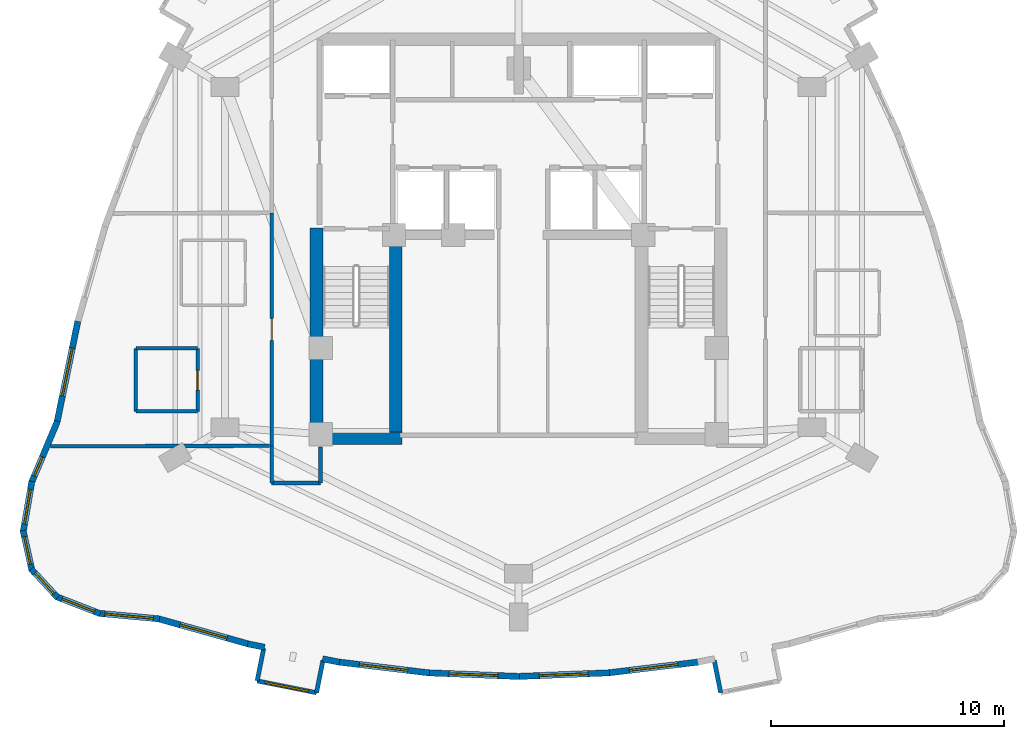
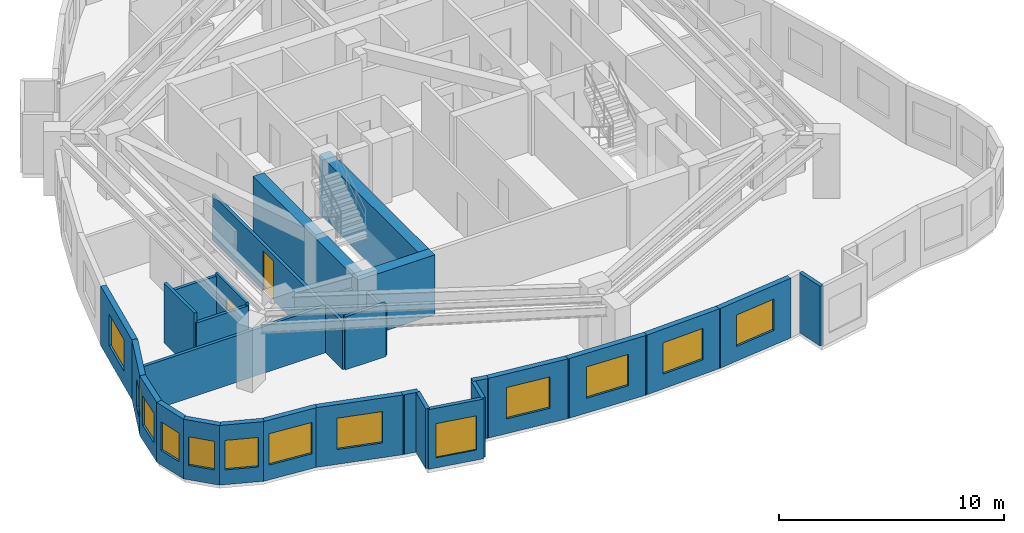
# One storey, part 5 of 10: 30 walls, 13 windows, 2 doors, 15 openings.
"""IFC4 building model written with IfcOpenShell, lengths in metres."""

from ifc_helpers import new_model, si_unit, direction, frame, frame_2d, origin, place, context, subcontext, project, spatial, rectangle, extrude, material, layer, layer_set, type_object, element, fill, save


model = new_model("IFC4")

# Units and contexts
model_context = context("Model", 3, precision=1e-05, world=origin(), true_north=direction((0.0, 1.0)))
body_context = subcontext(model_context, "Body", "Model", "MODEL_VIEW")
ifc_project = project(units=[si_unit("LENGTHUNIT", "METRE"), si_unit("AREAUNIT", "SQUARE_METRE"), si_unit("VOLUMEUNIT", "CUBIC_METRE"), si_unit("PLANEANGLEUNIT", "RADIAN"), si_unit("MASSUNIT", "GRAM", prefix="KILO")], contexts=[model_context])

# Site, building, storey
site_placement = place(None, origin())
site = spatial("IfcSite", under=ifc_project, at=site_placement, CompositionType="ELEMENT")
building_placement = place(site_placement, origin())
building = spatial("IfcBuilding", under=site, at=building_placement, Name="Miruveldt Soraemaru", CompositionType="ELEMENT")
storey_placement = place(building_placement, frame((0.0, 0.0, 163.39990234375)))
storey = spatial("IfcBuildingStorey", under=building, at=storey_placement, Name="L45", CompositionType="ELEMENT", Elevation=163.39990234375)

# Walls
ifc_material_1 = material(Name="White powder-coated aluminium EN AW-6060 T6", Category="aluminium")
ifc_layer_1 = layer(ifc_material_1, 0.18994140625, Name="White powder-coated aluminium EN AW-6060 T6", Category="aluminium")
ifc_layer_set_1 = layer_set([ifc_layer_1], Name="White powder-coated aluminium EN AW-6060 T6")
wall_type_1 = type_object("IfcWallType", Name="WALL-BAY-ALU190", PredefinedType="SOLIDWALL", material=ifc_layer_set_1)
wall_1_placement = place(storey_placement, frame((33.05517578125, 26.30322265625, 0.0), z_axis=(0.0, 0.0, 1.0), x_axis=(-0.196017281962, -0.980600441144, 0.0)))
element("IfcWall", 1, at=wall_1_placement, inside=storey, type_object=wall_type_1, Name="L45 Bay Window Side Cheek 2L", PredefinedType="SOLIDWALL", context=body_context, shape_type="SweptSolid", body=[
    extrude(rectangle(XDim=1.4248046875, YDim=0.18994140625, at=frame_2d((0.71240234375, 0.0))), origin(), (0.0, 0.0, 1.0), 3.235107421875),
])
wall_2_placement = place(storey_placement, frame((35.3251953125, 24.39599609375, 0.0), z_axis=(0.0, 0.0, 1.0), x_axis=(0.196149079112, 0.980574086321, 0.0)))
element("IfcWall", 2, at=wall_2_placement, inside=storey, type_object=wall_type_1, Name="L45 Bay Window Side Cheek 2R", PredefinedType="SOLIDWALL", context=body_context, shape_type="SweptSolid", body=[
    extrude(rectangle(XDim=1.425048828125, YDim=0.18994140625, at=frame_2d((0.71240234375, 0.0))), origin(), (0.0, 0.0, 1.0), 3.235107421875),
])

# Wall, opening, window
wall_3_placement = place(storey_placement, frame((32.77587890625, 24.906005859375, 0.0), z_axis=(0.0, 0.0, 1.0), x_axis=(0.980569838849, -0.196170311564, 0.0)))
wall_3 = element("IfcWall", 3, at=wall_3_placement, inside=storey, type_object=wall_type_1, Name="L45 Bay Window Front Frame 2", PredefinedType="SOLIDWALL", context=body_context, shape_type="SweptSolid", body=[
    extrude(rectangle(XDim=2.599853515625, YDim=0.18994140625, at=frame_2d((1.2998046875, 0.0))), origin(), (0.0, 0.0, 1.0), 3.235107421875),
])
opening_1_placement = place(wall_3_placement, frame((0.35009765625, 0.0, 0.550048828125)))
opening_1 = element("IfcOpeningElement", 4, at=opening_1_placement, cuts=wall_3, Name="Opening WN-6", PredefinedType="OPENING", context=body_context, shape_type="SweptSolid", body=[
    extrude(rectangle(XDim=1.89990234375, YDim=1.85009765625, at=frame_2d((0.949951171875, 0.925048828125))), frame((0.0, 0.10498046875, 0.0), z_axis=(0.0, -1.0, 0.0), x_axis=(1.0, 0.0, 0.0)), (0.0, 0.0, 1.0), 0.2099609375),
])
ifc_material_2 = material(Name="Triple low-e insulated glazing", Category="glass")
window_type_1 = type_object("IfcWindowType", Name="WIN-BAYW-1900x1850", PartitioningType="SINGLE_PANEL", PredefinedType="WINDOW", material=ifc_material_2)
window_1_placement = place(opening_1_placement, origin())
window_1 = element("IfcWindow", 5, at=window_1_placement, inside=storey, type_object=window_type_1, Name="L45 Projecting Bay Window 2", OverallHeight=1.85009765625, OverallWidth=1.89990234375, PartitioningType="SINGLE_PANEL", PredefinedType="WINDOW", context=body_context, shape_type="SweptSolid", body=[
    extrude(rectangle(XDim=1.89990234375, YDim=1.85009765625, at=frame_2d((0.949951171875, 0.925048828125))), frame((0.0, 0.030029296875, 0.0), z_axis=(0.0, -1.0, 0.0), x_axis=(1.0, 0.0, 0.0)), (0.0, 0.0, 1.0), 0.06005859375),
])
fill(opening_1, window_1)

# Walls
wall_4_placement = place(storey_placement, frame((52.395263671875, 25.79345703125, 0.0), z_axis=(0.0, 0.0, 1.0), x_axis=(0.196149079112, -0.980574086321, 0.0)))
element("IfcWall", 6, at=wall_4_placement, inside=storey, type_object=wall_type_1, Name="L45 Bay Window Side Cheek 3L", PredefinedType="SOLIDWALL", context=body_context, shape_type="SweptSolid", body=[
    extrude(rectangle(XDim=1.425048828125, YDim=0.18994140625, at=frame_2d((0.71240234375, 0.0))), origin(), (0.0, 0.0, 1.0), 3.235107421875),
])
ifc_material_3 = material(Name="Concrete C70/85 (70 MPa)", Category="concrete")
ifc_layer_2 = layer(ifc_material_3, 0.550048828125, Name="Concrete C70/85 (70 MPa)", Category="concrete")
ifc_layer_set_2 = layer_set([ifc_layer_2], Name="Concrete C70/85 (70 MPa)")
wall_type_2 = type_object("IfcWallType", Name="WALL-CW-550", PredefinedType="SHEAR", material=ifc_layer_set_2)
wall_5_placement = place(storey_placement, frame((35.050048828125, 35.324951171875, 0.0), z_axis=(0.0, 0.0, 1.0), x_axis=(1.0, 0.0, 0.0)))
element("IfcWall", 7, at=wall_5_placement, inside=storey, type_object=wall_type_2, Name="L45 Central Core Shear Wall S1", PredefinedType="SHEAR", context=body_context, shape_type="SweptSolid", body=[
    extrude(rectangle(XDim=3.949951171875, YDim=0.550048828125, at=frame_2d((1.97509765625, 0.0))), origin(), (0.0, 0.0, 1.0), 3.235107421875),
])
wall_6_placement = place(storey_placement, frame((35.324951171875, 35.050048828125, 0.0), z_axis=(0.0, 0.0, 1.0), x_axis=(0.0, 1.0, 0.0)))
element("IfcWall", 8, at=wall_6_placement, inside=storey, type_object=wall_type_2, Name="L45 Central Core Shear Wall W1", PredefinedType="SHEAR", context=body_context, shape_type="SweptSolid", body=[
    extrude(rectangle(XDim=9.300048828125, YDim=0.550048828125, at=frame_2d((4.64990234375, 0.0))), origin(), (0.0, 0.0, 1.0), 3.235107421875),
])
wall_7_placement = place(storey_placement, frame((38.72509765625, 35.39990234375, 0.0), z_axis=(0.0, 0.0, 1.0), x_axis=(0.0, 1.0, 0.0)))
element("IfcWall", 9, at=wall_7_placement, inside=storey, type_object=wall_type_2, Name="L45 Central Core Shear Wall SW-INT", PredefinedType="SHEAR", context=body_context, shape_type="SweptSolid", body=[
    extrude(rectangle(XDim=8.9501953125, YDim=0.550048828125, at=frame_2d((4.47509765625, 0.0))), origin(), (0.0, 0.0, 1.0), 3.235107421875),
])

# Wall, opening, window
ifc_material_4 = material(Name="Precast concrete C45/55 (45 MPa)", Category="concrete")
ifc_layer_3 = layer(ifc_material_4, 0.27001953125, Name="Precast concrete C45/55 (45 MPa)", Category="concrete")
ifc_layer_set_3 = layer_set([ifc_layer_3], Name="Precast concrete C45/55 (45 MPa)")
wall_type_3 = type_object("IfcWallType", Name="WALL-EXT-PC270", PredefinedType="SOLIDWALL", material=ifc_layer_set_3)
wall_8_placement = place(storey_placement, frame((25.076904296875, 40.347412109375, 0.0), z_axis=(0.0, 0.0, 1.0), x_axis=(-0.201580139361, -0.979472024825, 0.0)))
wall_8 = element("IfcWall", 10, at=wall_8_placement, inside=storey, type_object=wall_type_3, Name="L45 Precast Concrete Facade Wall 14", PredefinedType="SOLIDWALL", context=body_context, shape_type="SweptSolid", body=[
    extrude(rectangle(XDim=4.448486328125, YDim=0.27001953125, at=frame_2d((2.22412109375, 0.0))), origin(), (0.0, 0.0, 1.0), 3.235107421875),
])
opening_2_placement = place(wall_8_placement, frame((1.174072265625, 0.0, 0.800048828125)))
opening_2 = element("IfcOpeningElement", 11, at=opening_2_placement, cuts=wall_8, Name="Opening WN-1", PredefinedType="OPENING", context=body_context, shape_type="SweptSolid", body=[
    extrude(rectangle(XDim=2.10009765625, YDim=1.699951171875, at=frame_2d((1.050048828125, 0.85009765625))), frame((0.0, 0.14501953125, 0.0), z_axis=(0.0, -1.0, 0.0), x_axis=(1.0, 0.0, 0.0)), (0.0, 0.0, 1.0), 0.2900390625),
])
window_type_2 = type_object("IfcWindowType", Name="WIN-PUNCH-2100x1700", PartitioningType="SINGLE_PANEL", PredefinedType="WINDOW", material=ifc_material_2)
window_2_placement = place(opening_2_placement, origin())
window_2 = element("IfcWindow", 12, at=window_2_placement, inside=storey, type_object=window_type_2, Name="L45 Punched Triple-Glazed Window 14.1", OverallHeight=1.699951171875, OverallWidth=2.10009765625, PartitioningType="SINGLE_PANEL", PredefinedType="WINDOW", context=body_context, shape_type="SweptSolid", body=[
    extrude(rectangle(XDim=2.10009765625, YDim=1.699951171875, at=frame_2d((1.050048828125, 0.85009765625))), frame((0.0, 0.030029296875, 0.0), z_axis=(0.0, -1.0, 0.0), x_axis=(1.0, 0.0, 0.0)), (0.0, 0.0, 1.0), 0.06005859375),
])
fill(opening_2, window_2)

wall_9_placement = place(storey_placement, frame((24.200927734375, 36.056640625, 0.0), z_axis=(0.0, 0.0, 1.0), x_axis=(-0.388641898972, -0.921388883351, 0.0)))
wall_9 = element("IfcWall", 13, at=wall_9_placement, inside=storey, type_object=wall_type_3, Name="L45 Precast Concrete Facade Wall 15", PredefinedType="SOLIDWALL", context=body_context, shape_type="SweptSolid", body=[
    extrude(rectangle(XDim=2.873291015625, YDim=0.27001953125, at=frame_2d((1.4365234375, 0.0))), origin(), (0.0, 0.0, 1.0), 3.235107421875),
])
opening_3_placement = place(wall_9_placement, frame((1.660888671875, 0.0, 0.780029296875)))
opening_3 = element("IfcOpeningElement", 14, at=opening_3_placement, cuts=wall_9, Name="Opening WN-7", PredefinedType="OPENING", context=body_context, shape_type="SweptSolid", body=[
    extrude(rectangle(XDim=0.89990234375, YDim=1.5, at=frame_2d((0.449951171875, 0.75))), frame((0.0, 0.14501953125, 0.0), z_axis=(0.0, -1.0, 0.0), x_axis=(1.0, 0.0, 0.0)), (0.0, 0.0, 1.0), 0.2900390625),
])
window_type_3 = type_object("IfcWindowType", Name="WIN-PUNCH-900x1500", PartitioningType="SINGLE_PANEL", PredefinedType="WINDOW", material=ifc_material_2)
window_3_placement = place(opening_3_placement, origin())
window_3 = element("IfcWindow", 15, at=window_3_placement, inside=storey, type_object=window_type_3, Name="L45 Punched Triple-Glazed Window 15.1", OverallHeight=1.5, OverallWidth=0.89990234375, PartitioningType="SINGLE_PANEL", PredefinedType="WINDOW", context=body_context, shape_type="SweptSolid", body=[
    extrude(rectangle(XDim=0.89990234375, YDim=1.5, at=frame_2d((0.449951171875, 0.75))), frame((0.0, 0.030029296875, 0.0), z_axis=(0.0, -1.0, 0.0), x_axis=(1.0, 0.0, 0.0)), (0.0, 0.0, 1.0), 0.06005859375),
])
fill(opening_3, window_3)

wall_10_placement = place(storey_placement, frame((23.103759765625, 33.475830078125, 0.0), z_axis=(0.0, 0.0, 1.0), x_axis=(-0.169330983726, -0.985559241218, 0.0)))
wall_10 = element("IfcWall", 16, at=wall_10_placement, inside=storey, type_object=wall_type_3, Name="L45 Precast Concrete Facade Wall 16", PredefinedType="SOLIDWALL", context=body_context, shape_type="SweptSolid", body=[
    extrude(rectangle(XDim=2.214599609375, YDim=0.27001953125, at=frame_2d((1.107421875, 0.0))), origin(), (0.0, 0.0, 1.0), 3.235107421875),
])
opening_4_placement = place(wall_10_placement, frame((0.35693359375, 0.0, 0.800048828125)))
opening_4 = element("IfcOpeningElement", 17, at=opening_4_placement, cuts=wall_10, Name="Opening WN-3", PredefinedType="OPENING", context=body_context, shape_type="SweptSolid", body=[
    extrude(rectangle(XDim=1.5, YDim=1.60009765625, at=frame_2d((0.75, 0.800048828125))), frame((0.0, 0.14501953125, 0.0), z_axis=(0.0, -1.0, 0.0), x_axis=(1.0, 0.0, 0.0)), (0.0, 0.0, 1.0), 0.2900390625),
])
window_type_4 = type_object("IfcWindowType", Name="WIN-PUNCH-1500x1600", PartitioningType="SINGLE_PANEL", PredefinedType="WINDOW", material=ifc_material_2)
window_4_placement = place(opening_4_placement, origin())
window_4 = element("IfcWindow", 18, at=window_4_placement, inside=storey, type_object=window_type_4, Name="L45 Punched Triple-Glazed Window 16.1", OverallHeight=1.60009765625, OverallWidth=1.5, PartitioningType="SINGLE_PANEL", PredefinedType="WINDOW", context=body_context, shape_type="SweptSolid", body=[
    extrude(rectangle(XDim=1.5, YDim=1.60009765625, at=frame_2d((0.75, 0.800048828125))), frame((0.0, 0.030029296875, 0.0), z_axis=(0.0, -1.0, 0.0), x_axis=(1.0, 0.0, 0.0)), (0.0, 0.0, 1.0), 0.06005859375),
])
fill(opening_4, window_4)

wall_11_placement = place(storey_placement, frame((22.72705078125, 31.362060546875, 0.0), z_axis=(0.0, 0.0, 1.0), x_axis=(0.215809905257, -0.976435397142, 0.0)))
wall_11 = element("IfcWall", 19, at=wall_11_placement, inside=storey, type_object=wall_type_3, Name="L45 Precast Concrete Facade Wall 17", PredefinedType="SOLIDWALL", context=body_context, shape_type="SweptSolid", body=[
    extrude(rectangle(XDim=1.75341796875, YDim=0.27001953125, at=frame_2d((0.876708984375, 0.0))), origin(), (0.0, 0.0, 1.0), 3.235107421875),
])
opening_5_placement = place(wall_11_placement, frame((0.277099609375, 0.0, 0.780029296875)))
opening_5 = element("IfcOpeningElement", 20, at=opening_5_placement, cuts=wall_11, Name="Opening WN-4", PredefinedType="OPENING", context=body_context, shape_type="SweptSolid", body=[
    extrude(rectangle(XDim=1.199951171875, YDim=1.550048828125, at=frame_2d((0.60009765625, 0.77490234375))), frame((0.0, 0.14501953125, 0.0), z_axis=(0.0, -1.0, 0.0), x_axis=(1.0, 0.0, 0.0)), (0.0, 0.0, 1.0), 0.2900390625),
])
window_type_5 = type_object("IfcWindowType", Name="WIN-PUNCH-1200x1550", PartitioningType="SINGLE_PANEL", PredefinedType="WINDOW", material=ifc_material_2)
window_5_placement = place(opening_5_placement, origin())
window_5 = element("IfcWindow", 21, at=window_5_placement, inside=storey, type_object=window_type_5, Name="L45 Punched Triple-Glazed Window 17.1", OverallHeight=1.550048828125, OverallWidth=1.199951171875, PartitioningType="SINGLE_PANEL", PredefinedType="WINDOW", context=body_context, shape_type="SweptSolid", body=[
    extrude(rectangle(XDim=1.199951171875, YDim=1.550048828125, at=frame_2d((0.60009765625, 0.77490234375))), frame((0.0, 0.030029296875, 0.0), z_axis=(0.0, -1.0, 0.0), x_axis=(1.0, 0.0, 0.0)), (0.0, 0.0, 1.0), 0.06005859375),
])
fill(opening_5, window_5)

wall_12_placement = place(storey_placement, frame((23.073974609375, 29.709716796875, 0.0), z_axis=(0.0, 0.0, 1.0), x_axis=(0.680182208432, -0.733043084227, 0.0)))
wall_12 = element("IfcWall", 22, at=wall_12_placement, inside=storey, type_object=wall_type_3, Name="L45 Precast Concrete Facade Wall 18", PredefinedType="SOLIDWALL", context=body_context, shape_type="SweptSolid", body=[
    extrude(rectangle(XDim=1.671875, YDim=0.27001953125, at=frame_2d((0.8359375, 0.0))), origin(), (0.0, 0.0, 1.0), 3.235107421875),
])
opening_6_placement = place(wall_12_placement, frame((0.236083984375, 0.0, 0.780029296875)))
opening_6 = element("IfcOpeningElement", 23, at=opening_6_placement, cuts=wall_12, Name="Opening WN-4", PredefinedType="OPENING", context=body_context, shape_type="SweptSolid", body=[
    extrude(rectangle(XDim=1.199951171875, YDim=1.550048828125, at=frame_2d((0.60009765625, 0.77490234375))), frame((0.0, 0.14501953125, 0.0), z_axis=(0.0, -1.0, 0.0), x_axis=(1.0, 0.0, 0.0)), (0.0, 0.0, 1.0), 0.2900390625),
])
window_6_placement = place(opening_6_placement, origin())
window_6 = element("IfcWindow", 24, at=window_6_placement, inside=storey, type_object=window_type_5, Name="L45 Punched Triple-Glazed Window 18.1", OverallHeight=1.550048828125, OverallWidth=1.199951171875, PartitioningType="SINGLE_PANEL", PredefinedType="WINDOW", context=body_context, shape_type="SweptSolid", body=[
    extrude(rectangle(XDim=1.199951171875, YDim=1.550048828125, at=frame_2d((0.60009765625, 0.77490234375))), frame((0.0, 0.030029296875, 0.0), z_axis=(0.0, -1.0, 0.0), x_axis=(1.0, 0.0, 0.0)), (0.0, 0.0, 1.0), 0.06005859375),
])
fill(opening_6, window_6)

wall_13_placement = place(storey_placement, frame((24.15478515625, 28.5224609375, 0.0), z_axis=(0.0, 0.0, 1.0), x_axis=(0.932249719416, -0.361815506367, 0.0)))
wall_13 = element("IfcWall", 25, at=wall_13_placement, inside=storey, type_object=wall_type_3, Name="L45 Precast Concrete Facade Wall 19", PredefinedType="SOLIDWALL", context=body_context, shape_type="SweptSolid", body=[
    extrude(rectangle(XDim=2.017578125, YDim=0.27001953125, at=frame_2d((1.0087890625, 0.0))), origin(), (0.0, 0.0, 1.0), 3.235107421875),
])
opening_7_placement = place(wall_13_placement, frame((0.259033203125, 0.0, 0.800048828125)))
opening_7 = element("IfcOpeningElement", 26, at=opening_7_placement, cuts=wall_13, Name="Opening WN-3", PredefinedType="OPENING", context=body_context, shape_type="SweptSolid", body=[
    extrude(rectangle(XDim=1.5, YDim=1.60009765625, at=frame_2d((0.75, 0.800048828125))), frame((0.0, 0.14501953125, 0.0), z_axis=(0.0, -1.0, 0.0), x_axis=(1.0, 0.0, 0.0)), (0.0, 0.0, 1.0), 0.2900390625),
])
window_7_placement = place(opening_7_placement, origin())
window_7 = element("IfcWindow", 27, at=window_7_placement, inside=storey, type_object=window_type_4, Name="L45 Punched Triple-Glazed Window 19.1", OverallHeight=1.60009765625, OverallWidth=1.5, PartitioningType="SINGLE_PANEL", PredefinedType="WINDOW", context=body_context, shape_type="SweptSolid", body=[
    extrude(rectangle(XDim=1.5, YDim=1.60009765625, at=frame_2d((0.75, 0.800048828125))), frame((0.0, 0.030029296875, 0.0), z_axis=(0.0, -1.0, 0.0), x_axis=(1.0, 0.0, 0.0)), (0.0, 0.0, 1.0), 0.06005859375),
])
fill(opening_7, window_7)

wall_14_placement = place(storey_placement, frame((25.96826171875, 27.80859375, 0.0), z_axis=(0.0, 0.0, 1.0), x_axis=(0.995762483842, -0.091962360632, 0.0)))
wall_14 = element("IfcWall", 28, at=wall_14_placement, inside=storey, type_object=wall_type_3, Name="L45 Precast Concrete Facade Wall 20", PredefinedType="SOLIDWALL", context=body_context, shape_type="SweptSolid", body=[
    extrude(rectangle(XDim=2.623046875, YDim=0.27001953125, at=frame_2d((1.3115234375, 0.0))), origin(), (0.0, 0.0, 1.0), 3.235107421875),
])
opening_8_placement = place(wall_14_placement, frame((0.261962890625, 0.0, 0.800048828125)))
opening_8 = element("IfcOpeningElement", 29, at=opening_8_placement, cuts=wall_14, Name="Opening WN-1", PredefinedType="OPENING", context=body_context, shape_type="SweptSolid", body=[
    extrude(rectangle(XDim=2.10009765625, YDim=1.699951171875, at=frame_2d((1.050048828125, 0.85009765625))), frame((0.0, 0.14501953125, 0.0), z_axis=(0.0, -1.0, 0.0), x_axis=(1.0, 0.0, 0.0)), (0.0, 0.0, 1.0), 0.2900390625),
])
window_8_placement = place(opening_8_placement, origin())
window_8 = element("IfcWindow", 30, at=window_8_placement, inside=storey, type_object=window_type_2, Name="L45 Punched Triple-Glazed Window 20.1", OverallHeight=1.699951171875, OverallWidth=2.10009765625, PartitioningType="SINGLE_PANEL", PredefinedType="WINDOW", context=body_context, shape_type="SweptSolid", body=[
    extrude(rectangle(XDim=2.10009765625, YDim=1.699951171875, at=frame_2d((1.050048828125, 0.85009765625))), frame((0.0, 0.030029296875, 0.0), z_axis=(0.0, -1.0, 0.0), x_axis=(1.0, 0.0, 0.0)), (0.0, 0.0, 1.0), 0.06005859375),
])
fill(opening_8, window_8)

wall_15_placement = place(storey_placement, frame((28.51171875, 27.579833984375, 0.0), z_axis=(0.0, 0.0, 1.0), x_axis=(0.962968367647, -0.269614396705, 0.0)))
wall_15 = element("IfcWall", 31, at=wall_15_placement, inside=storey, type_object=wall_type_3, Name="L45 Precast Concrete Facade Wall 21", PredefinedType="SOLIDWALL", context=body_context, shape_type="SweptSolid", body=[
    extrude(rectangle(XDim=4.08203125, YDim=0.27001953125, at=frame_2d((2.041015625, 0.0))), origin(), (0.0, 0.0, 1.0), 3.235107421875),
])
opening_9_placement = place(wall_15_placement, frame((0.990966796875, 0.0, 0.800048828125)))
opening_9 = element("IfcOpeningElement", 32, at=opening_9_placement, cuts=wall_15, Name="Opening WN-1", PredefinedType="OPENING", context=body_context, shape_type="SweptSolid", body=[
    extrude(rectangle(XDim=2.10009765625, YDim=1.699951171875, at=frame_2d((1.050048828125, 0.85009765625))), frame((0.0, 0.14501953125, 0.0), z_axis=(0.0, -1.0, 0.0), x_axis=(1.0, 0.0, 0.0)), (0.0, 0.0, 1.0), 0.2900390625),
])
window_9_placement = place(opening_9_placement, origin())
window_9 = element("IfcWindow", 33, at=window_9_placement, inside=storey, type_object=window_type_2, Name="L45 Punched Triple-Glazed Window 21.1", OverallHeight=1.699951171875, OverallWidth=2.10009765625, PartitioningType="SINGLE_PANEL", PredefinedType="WINDOW", context=body_context, shape_type="SweptSolid", body=[
    extrude(rectangle(XDim=2.10009765625, YDim=1.699951171875, at=frame_2d((1.050048828125, 0.85009765625))), frame((0.0, 0.030029296875, 0.0), z_axis=(0.0, -1.0, 0.0), x_axis=(1.0, 0.0, 0.0)), (0.0, 0.0, 1.0), 0.06005859375),
])
fill(opening_9, window_9)

# Walls
wall_16_placement = place(storey_placement, frame((32.37451171875, 26.49560546875, 0.0), z_axis=(0.0, 0.0, 1.0), x_axis=(0.980555124768, -0.196243846508, 0.0)))
element("IfcWall", 34, at=wall_16_placement, inside=storey, type_object=wall_type_3, Name="L45 Precast Pier Wall 22A", PredefinedType="SOLIDWALL", context=body_context, shape_type="SweptSolid", body=[
    extrude(rectangle(XDim=0.7353515625, YDim=0.27001953125, at=frame_2d((0.36767578125, 0.0))), origin(), (0.0, 0.0, 1.0), 3.235107421875),
])
wall_17_placement = place(storey_placement, frame((35.586181640625, 25.853271484375, 0.0), z_axis=(0.0, 0.0, 1.0), x_axis=(0.980542330577, -0.196307763337, 0.0)))
element("IfcWall", 35, at=wall_17_placement, inside=storey, type_object=wall_type_3, Name="L45 Precast Pier Wall 22B", PredefinedType="SOLIDWALL", context=body_context, shape_type="SweptSolid", body=[
    extrude(rectangle(XDim=0.735107421875, YDim=0.27001953125, at=frame_2d((0.36767578125, 0.0))), origin(), (0.0, 0.0, 1.0), 3.235107421875),
])

# Wall, opening, window
wall_18_placement = place(storey_placement, frame((36.23779296875, 25.72021484375, 0.0), z_axis=(0.0, 0.0, 1.0), x_axis=(0.992871880254, -0.11918653196, 0.0)))
wall_18 = element("IfcWall", 36, at=wall_18_placement, inside=storey, type_object=wall_type_3, Name="L45 Precast Concrete Facade Wall 23", PredefinedType="SOLIDWALL", context=body_context, shape_type="SweptSolid", body=[
    extrude(rectangle(XDim=3.961669921875, YDim=0.27001953125, at=frame_2d((1.98095703125, 0.0))), origin(), (0.0, 0.0, 1.0), 3.235107421875),
])
opening_10_placement = place(wall_18_placement, frame((0.930908203125, 0.0, 0.800048828125)))
opening_10 = element("IfcOpeningElement", 37, at=opening_10_placement, cuts=wall_18, Name="Opening WN-1", PredefinedType="OPENING", context=body_context, shape_type="SweptSolid", body=[
    extrude(rectangle(XDim=2.10009765625, YDim=1.699951171875, at=frame_2d((1.050048828125, 0.85009765625))), frame((0.0, 0.14501953125, 0.0), z_axis=(0.0, -1.0, 0.0), x_axis=(1.0, 0.0, 0.0)), (0.0, 0.0, 1.0), 0.2900390625),
])
window_10_placement = place(opening_10_placement, origin())
window_10 = element("IfcWindow", 38, at=window_10_placement, inside=storey, type_object=window_type_2, Name="L45 Punched Triple-Glazed Window 23.1", OverallHeight=1.699951171875, OverallWidth=2.10009765625, PartitioningType="SINGLE_PANEL", PredefinedType="WINDOW", context=body_context, shape_type="SweptSolid", body=[
    extrude(rectangle(XDim=2.10009765625, YDim=1.699951171875, at=frame_2d((1.050048828125, 0.85009765625))), frame((0.0, 0.030029296875, 0.0), z_axis=(0.0, -1.0, 0.0), x_axis=(1.0, 0.0, 0.0)), (0.0, 0.0, 1.0), 0.06005859375),
])
fill(opening_10, window_10)

wall_19_placement = place(storey_placement, frame((40.101318359375, 25.253662109375, 0.0), z_axis=(0.0, 0.0, 1.0), x_axis=(0.999199670334, -0.040000235065, 0.0)))
wall_19 = element("IfcWall", 39, at=wall_19_placement, inside=storey, type_object=wall_type_3, Name="L45 Precast Concrete Facade Wall 24", PredefinedType="SOLIDWALL", context=body_context, shape_type="SweptSolid", body=[
    extrude(rectangle(XDim=3.936767578125, YDim=0.27001953125, at=frame_2d((1.96826171875, 0.0))), origin(), (0.0, 0.0, 1.0), 3.235107421875),
])
opening_11_placement = place(wall_19_placement, frame((0.9189453125, 0.0, 0.800048828125)))
opening_11 = element("IfcOpeningElement", 40, at=opening_11_placement, cuts=wall_19, Name="Opening WN-1", PredefinedType="OPENING", context=body_context, shape_type="SweptSolid", body=[
    extrude(rectangle(XDim=2.10009765625, YDim=1.699951171875, at=frame_2d((1.050048828125, 0.85009765625))), frame((0.0, 0.14501953125, 0.0), z_axis=(0.0, -1.0, 0.0), x_axis=(1.0, 0.0, 0.0)), (0.0, 0.0, 1.0), 0.2900390625),
])
window_11_placement = place(opening_11_placement, origin())
window_11 = element("IfcWindow", 41, at=window_11_placement, inside=storey, type_object=window_type_2, Name="L45 Punched Triple-Glazed Window 24.1", OverallHeight=1.699951171875, OverallWidth=2.10009765625, PartitioningType="SINGLE_PANEL", PredefinedType="WINDOW", context=body_context, shape_type="SweptSolid", body=[
    extrude(rectangle(XDim=2.10009765625, YDim=1.699951171875, at=frame_2d((1.050048828125, 0.85009765625))), frame((0.0, 0.030029296875, 0.0), z_axis=(0.0, -1.0, 0.0), x_axis=(1.0, 0.0, 0.0)), (0.0, 0.0, 1.0), 0.06005859375),
])
fill(opening_11, window_11)

wall_20_placement = place(storey_placement, frame((43.965087890625, 25.09619140625, 0.0), z_axis=(0.0, 0.0, 1.0), x_axis=(0.999199670334, 0.040000235065, 0.0)))
wall_20 = element("IfcWall", 42, at=wall_20_placement, inside=storey, type_object=wall_type_3, Name="L45 Precast Concrete Facade Wall 25", PredefinedType="SOLIDWALL", context=body_context, shape_type="SweptSolid", body=[
    extrude(rectangle(XDim=3.936767578125, YDim=0.27001953125, at=frame_2d((1.96826171875, 0.0))), origin(), (0.0, 0.0, 1.0), 3.235107421875),
])
opening_12_placement = place(wall_20_placement, frame((0.9189453125, 0.0, 0.800048828125)))
opening_12 = element("IfcOpeningElement", 43, at=opening_12_placement, cuts=wall_20, Name="Opening WN-1", PredefinedType="OPENING", context=body_context, shape_type="SweptSolid", body=[
    extrude(rectangle(XDim=2.10009765625, YDim=1.699951171875, at=frame_2d((1.050048828125, 0.85009765625))), frame((0.0, 0.14501953125, 0.0), z_axis=(0.0, -1.0, 0.0), x_axis=(1.0, 0.0, 0.0)), (0.0, 0.0, 1.0), 0.2900390625),
])
window_12_placement = place(opening_12_placement, origin())
window_12 = element("IfcWindow", 44, at=window_12_placement, inside=storey, type_object=window_type_2, Name="L45 Punched Triple-Glazed Window 25.1", OverallHeight=1.699951171875, OverallWidth=2.10009765625, PartitioningType="SINGLE_PANEL", PredefinedType="WINDOW", context=body_context, shape_type="SweptSolid", body=[
    extrude(rectangle(XDim=2.10009765625, YDim=1.699951171875, at=frame_2d((1.050048828125, 0.85009765625))), frame((0.0, 0.030029296875, 0.0), z_axis=(0.0, -1.0, 0.0), x_axis=(1.0, 0.0, 0.0)), (0.0, 0.0, 1.0), 0.06005859375),
])
fill(opening_12, window_12)

wall_21_placement = place(storey_placement, frame((47.828857421875, 25.248046875, 0.0), z_axis=(0.0, 0.0, 1.0), x_axis=(0.992871880254, 0.11918653196, 0.0)))
wall_21 = element("IfcWall", 45, at=wall_21_placement, inside=storey, type_object=wall_type_3, Name="L45 Precast Concrete Facade Wall 26", PredefinedType="SOLIDWALL", context=body_context, shape_type="SweptSolid", body=[
    extrude(rectangle(XDim=3.961669921875, YDim=0.27001953125, at=frame_2d((1.98095703125, 0.0))), origin(), (0.0, 0.0, 1.0), 3.235107421875),
])
opening_13_placement = place(wall_21_placement, frame((0.930908203125, 0.0, 0.800048828125)))
opening_13 = element("IfcOpeningElement", 46, at=opening_13_placement, cuts=wall_21, Name="Opening WN-1", PredefinedType="OPENING", context=body_context, shape_type="SweptSolid", body=[
    extrude(rectangle(XDim=2.10009765625, YDim=1.699951171875, at=frame_2d((1.050048828125, 0.85009765625))), frame((0.0, 0.14501953125, 0.0), z_axis=(0.0, -1.0, 0.0), x_axis=(1.0, 0.0, 0.0)), (0.0, 0.0, 1.0), 0.2900390625),
])
window_13_placement = place(opening_13_placement, origin())
window_13 = element("IfcWindow", 47, at=window_13_placement, inside=storey, type_object=window_type_2, Name="L45 Punched Triple-Glazed Window 26.1", OverallHeight=1.699951171875, OverallWidth=2.10009765625, PartitioningType="SINGLE_PANEL", PredefinedType="WINDOW", context=body_context, shape_type="SweptSolid", body=[
    extrude(rectangle(XDim=2.10009765625, YDim=1.699951171875, at=frame_2d((1.050048828125, 0.85009765625))), frame((0.0, 0.030029296875, 0.0), z_axis=(0.0, -1.0, 0.0), x_axis=(1.0, 0.0, 0.0)), (0.0, 0.0, 1.0), 0.06005859375),
])
fill(opening_13, window_13)

# Wall, opening, door
ifc_material_5 = material(Name="Gypsum plasterboard lining", Category="gypsum")
ifc_layer_4 = layer(ifc_material_5, 0.14990234375, Name="Gypsum plasterboard lining", Category="gypsum")
ifc_layer_set_4 = layer_set([ifc_layer_4], Name="Gypsum plasterboard lining")
wall_type_4 = type_object("IfcWallType", Name="WALL-INT-PLUMB", PredefinedType="PLUMBINGWALL", material=ifc_layer_set_4)
wall_22_placement = place(storey_placement, frame((30.216064453125, 36.47998046875, 0.0), z_axis=(0.0, 0.0, 1.0), x_axis=(0.0, 1.0, 0.0)))
wall_22 = element("IfcWall", 48, at=wall_22_placement, inside=storey, type_object=wall_type_4, Name="L45 Partition Wall 34", PredefinedType="PLUMBINGWALL", context=body_context, shape_type="SweptSolid", body=[
    extrude(rectangle(XDim=2.699951171875, YDim=0.14990234375, at=frame_2d((1.35009765625, 0.0))), origin(), (0.0, 0.0, 1.0), 2.873046875),
])
opening_14_placement = place(wall_22_placement, frame((0.909912109375, 0.0, 0.0)))
opening_14 = element("IfcOpeningElement", 49, at=opening_14_placement, cuts=wall_22, Name="Opening FD3", PredefinedType="OPENING", context=body_context, shape_type="SweptSolid", body=[
    extrude(rectangle(XDim=0.85009765625, YDim=2.10009765625, at=frame_2d((0.425048828125, 1.050048828125))), frame((0.0, 0.0849609375, 0.0), z_axis=(0.0, -1.0, 0.0), x_axis=(1.0, 0.0, 0.0)), (0.0, 0.0, 1.0), 0.169921875),
])
ifc_material_6 = material(Name="Anodised aluminium EN AW-6063 T6", Category="aluminium")
door_type_1 = type_object("IfcDoorType", Name="DOOR-FD3-850", OperationType="NOTDEFINED", PredefinedType="DOOR", material=ifc_material_6)
door_1_placement = place(opening_14_placement, origin())
door_1 = element("IfcDoor", 50, at=door_1_placement, inside=storey, type_object=door_type_1, Name="L45 Unit 4504 BTH Door", OperationType="SINGLE_SWING_RIGHT", OverallHeight=2.10009765625, OverallWidth=0.85009765625, PredefinedType="DOOR", context=body_context, shape_type="SweptSolid", body=[
    extrude(rectangle(XDim=0.85009765625, YDim=2.10009765625, at=frame_2d((0.425048828125, 1.050048828125))), frame((0.0, 0.02490234375, 0.0), z_axis=(0.0, -1.0, 0.0), x_axis=(1.0, 0.0, 0.0)), (0.0, 0.0, 1.0), 0.050048828125),
])
fill(opening_14, door_1)

# Walls
wall_23_placement = place(storey_placement, frame((27.56591796875, 39.179931640625, 0.0), z_axis=(0.0, 0.0, 1.0), x_axis=(0.0, -1.0, 0.0)))
element("IfcWall", 51, at=wall_23_placement, inside=storey, type_object=wall_type_4, Name="L45 Partition Wall 36", PredefinedType="PLUMBINGWALL", context=body_context, shape_type="SweptSolid", body=[
    extrude(rectangle(XDim=2.699951171875, YDim=0.14990234375, at=frame_2d((1.35009765625, 0.0))), origin(), (0.0, 0.0, 1.0), 3.235107421875),
])
for number, where, z_axis, x_axis, name in (
    (52, (30.216064453125, 39.179931640625, 0.0), (0.0, 0.0, 1.0), (-1.0, 0.0, 0.0), "L45 Partition Wall 35"),
    (53, (27.56591796875, 36.47998046875, 0.0), (0.0, 0.0, 1.0), (1.0, 0.0, 0.0), "L45 Partition Wall 37"),
):
    element("IfcWall", number, at=place(storey_placement, frame(where, z_axis=z_axis, x_axis=x_axis)), inside=storey, type_object=wall_type_4, Name=name, PredefinedType="PLUMBINGWALL", context=body_context, shape_type="SweptSolid", body=[
        extrude(rectangle(XDim=2.650146484375, YDim=0.14990234375, at=frame_2d((1.3251953125, 0.0))), origin(), (0.0, 0.0, 1.0), 2.72314453125),
    ])

# Wall, opening, door
ifc_material_7 = material(Name="Concrete C40/50 (40 MPa)", Category="concrete")
ifc_layer_5 = layer(ifc_material_7, 0.159912109375, Name="Concrete C40/50 (40 MPa)", Category="concrete")
ifc_layer_set_5 = layer_set([ifc_layer_5], Name="Concrete C40/50 (40 MPa)")
wall_type_5 = type_object("IfcWallType", Name="WALL-INT-RC160", PredefinedType="SOLIDWALL", material=ifc_layer_set_5)
wall_24_placement = place(storey_placement, frame((33.39990234375, 45.0, 0.0), z_axis=(0.0, 0.0, 1.0), x_axis=(0.0, -1.0, 0.0)))
wall_24 = element("IfcWall", 54, at=wall_24_placement, inside=storey, type_object=wall_type_5, Name="L45 Partition Wall 4", PredefinedType="SOLIDWALL", context=body_context, shape_type="SweptSolid", body=[
    extrude(rectangle(XDim=10.0, YDim=0.159912109375, at=frame_2d((5.0, 0.0))), origin(), (0.0, 0.0, 1.0), 2.47314453125),
])
opening_15_placement = place(wall_24_placement, frame((4.52490234375, 0.0, 0.0)))
opening_15 = element("IfcOpeningElement", 55, at=opening_15_placement, cuts=wall_24, Name="Opening FD2", PredefinedType="OPENING", context=body_context, shape_type="SweptSolid", body=[
    extrude(rectangle(XDim=0.949951171875, YDim=2.14990234375, at=frame_2d((0.47509765625, 1.074951171875))), frame((0.0, 0.08984375, 0.0), z_axis=(0.0, -1.0, 0.0), x_axis=(1.0, 0.0, 0.0)), (0.0, 0.0, 1.0), 0.179931640625),
])
door_type_2 = type_object("IfcDoorType", Name="DOOR-FD2-950", OperationType="NOTDEFINED", PredefinedType="DOOR", material=ifc_material_6)
door_2_placement = place(opening_15_placement, origin())
door_2 = element("IfcDoor", 56, at=door_2_placement, inside=storey, type_object=door_type_2, Name="L45 Unit 4504 Entrance Fire Door", OperationType="SINGLE_SWING_LEFT", OverallHeight=2.14990234375, OverallWidth=0.949951171875, PredefinedType="DOOR", context=body_context, shape_type="SweptSolid", body=[
    extrude(rectangle(XDim=0.949951171875, YDim=2.14990234375, at=frame_2d((0.47509765625, 1.074951171875))), frame((0.0, 0.02490234375, 0.0), z_axis=(0.0, -1.0, 0.0), x_axis=(1.0, 0.0, 0.0)), (0.0, 0.0, 1.0), 0.050048828125),
])
fill(opening_15, door_2)

# Walls
wall_25_placement = place(storey_placement, frame((23.907958984375, 34.97607421875, 0.0), z_axis=(0.0, 0.0, 1.0), x_axis=(0.999996763542, 0.002544190733, 0.0)))
element("IfcWall", 57, at=wall_25_placement, inside=storey, type_object=wall_type_5, Name="L45 Partition Wall 42", PredefinedType="SOLIDWALL", context=body_context, shape_type="SweptSolid", body=[
    extrude(rectangle(XDim=9.404052734375, YDim=0.159912109375, at=frame_2d((4.7021484375, 0.0))), origin(), (0.0, 0.0, 1.0), 2.523193359375),
])
wall_26_placement = place(storey_placement, frame((33.39990234375, 33.39990234375, 0.0), z_axis=(0.0, 0.0, 1.0), x_axis=(1.0, 0.0, 0.0)))
element("IfcWall", 58, at=wall_26_placement, inside=storey, type_object=wall_type_5, Name="L45 Partition Wall 7", PredefinedType="SOLIDWALL", context=body_context, shape_type="SweptSolid", body=[
    extrude(rectangle(XDim=2.10009765625, YDim=0.159912109375, at=frame_2d((1.050048828125, 0.0))), origin(), (0.0, 0.0, 1.0), 2.873046875),
])
wall_27_placement = place(storey_placement, frame((33.39990234375, 34.991943359375, 0.0), z_axis=(0.0, 0.0, 1.0), x_axis=(0.0, -1.0, 0.0)))
element("IfcWall", 59, at=wall_27_placement, inside=storey, type_object=wall_type_5, Name="L45 Partition Wall 6", PredefinedType="SOLIDWALL", context=body_context, shape_type="SweptSolid", body=[
    extrude(rectangle(XDim=1.592041015625, YDim=0.159912109375, at=frame_2d((0.7958984375, 0.0))), origin(), (0.0, 0.0, 1.0), 2.523193359375),
])
wall_28_placement = place(storey_placement, frame((35.5, 33.39990234375, 0.0), z_axis=(0.0, 0.0, 1.0), x_axis=(0.0, 1.0, 0.0)))
element("IfcWall", 60, at=wall_28_placement, inside=storey, type_object=wall_type_5, Name="L45 Partition Wall 8", PredefinedType="SOLIDWALL", context=body_context, shape_type="SweptSolid", body=[
    extrude(rectangle(XDim=1.5419921875, YDim=0.159912109375, at=frame_2d((0.77099609375, 0.0))), origin(), (0.0, 0.0, 1.0), 2.523193359375),
])

save(model, "model.ifc")
